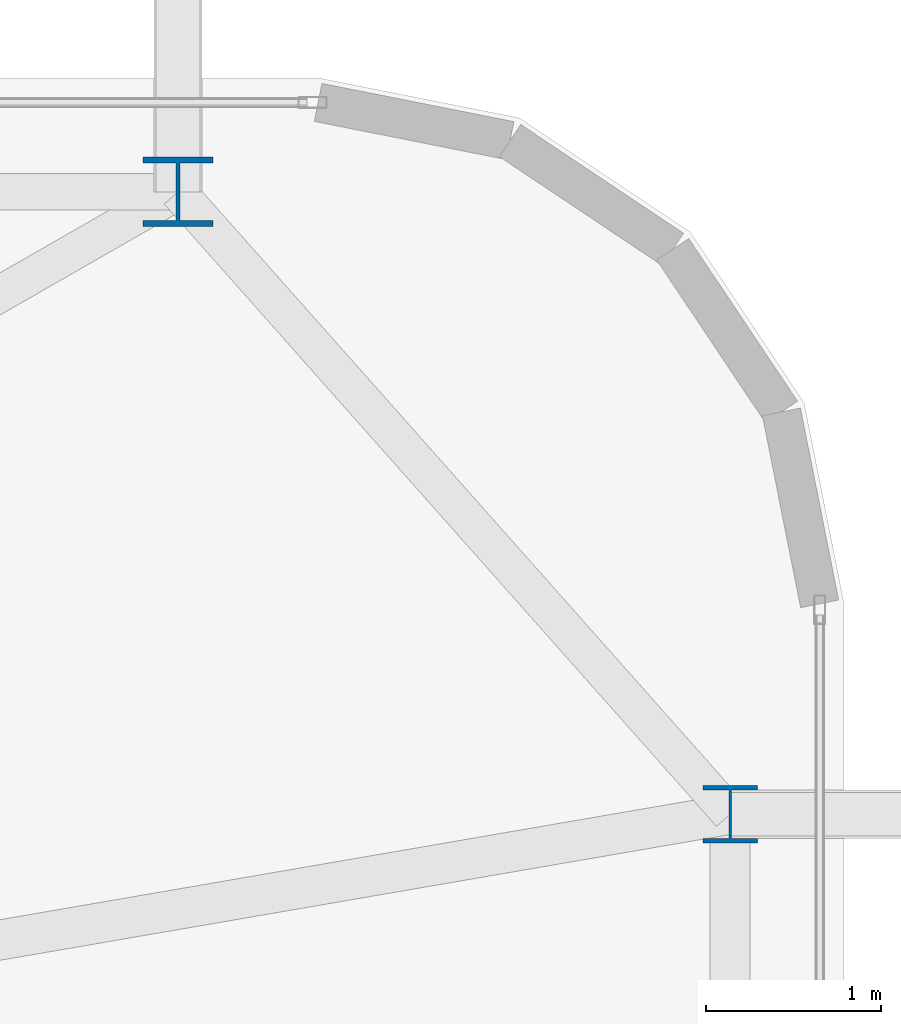
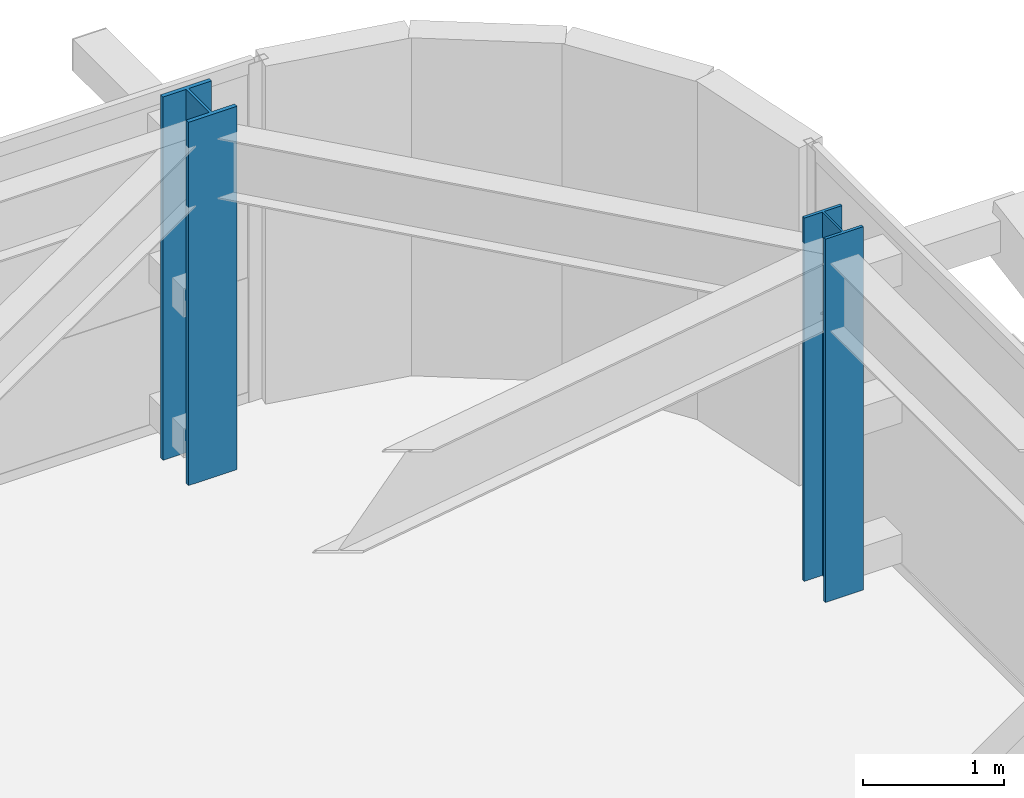
# One storey, part 4 of 58: 2 columns.
"""IFC4 building model written with IfcOpenShell, lengths in metres."""

from ifc_helpers import new_model, si_unit, direction, frame, origin, origin_2d, place, context, subcontext, project, spatial, i_section, extrude, source, transform, mapped, material, material_profile, profile_set, type_object, element, save


model = new_model("IFC4")

# Units and contexts
model_context = context("Model", 3, precision=1e-05, world=origin(), true_north=direction((0.0, 1.0)))
body_context = subcontext(model_context, "Body", "Model", "MODEL_VIEW")
ifc_project = project(units=[si_unit("LENGTHUNIT", "METRE"), si_unit("AREAUNIT", "SQUARE_METRE"), si_unit("VOLUMEUNIT", "CUBIC_METRE"), si_unit("PLANEANGLEUNIT", "RADIAN"), si_unit("MASSUNIT", "GRAM", prefix="KILO")], contexts=[model_context])

# Site, building, storey
site_placement = place(None, origin())
site = spatial("IfcSite", under=ifc_project, at=site_placement, CompositionType="ELEMENT")
building_placement = place(site_placement, origin())
building = spatial("IfcBuilding", under=site, at=building_placement, Name="Taldren Reach Tower", CompositionType="ELEMENT")
storey_placement = place(building_placement, frame((0.0, 0.0, 32.550048828125)))
storey = spatial("IfcBuildingStorey", under=building, at=storey_placement, Name="L09", CompositionType="ELEMENT", Elevation=32.550048828125)

# Columns
ifc_material = material(Name="Steel Gr 350 (350PLUS)", Category="steel")
ifc_material_profile_1 = material_profile(ifc_material, i_section(OverallWidth=0.39990234375, OverallDepth=0.39599609375, WebThickness=0.02197265625, FlangeThickness=0.033935546875, at=origin_2d()), Name="400WC270")
ifc_profile_set_1 = profile_set([ifc_material_profile_1], Name="Steel Gr 350 (350PLUS)")
column_type_1 = type_object("IfcColumnType", Name="COL-WC400", PredefinedType="COLUMN", material=ifc_profile_set_1)
shared_shape_1 = source(origin(), body_context, "Body", "SweptSolid", [
    extrude(i_section(OverallWidth=0.39990234375, OverallDepth=0.39599609375, WebThickness=0.02197265625, FlangeThickness=0.033935546875, at=origin_2d()), origin(), (0.0, 0.0, 1.0), 3.14990234375),
])
column_1_placement = place(storey_placement, frame((61.199951171875, 37.85009765625, 0.0), z_axis=(0.0, 0.0, 1.0), x_axis=(1.0, 0.0, 0.0)))
element("IfcColumn", 1, at=column_1_placement, inside=storey, type_object=column_type_1, Name="Block B1 perimeter column N6 L09", PredefinedType="COLUMN", context=body_context, shape_type="MappedRepresentation", body=[
    mapped(shared_shape_1, transform((0.0, 0.0, 0.0), scale=1.0)),
])
ifc_material_profile_2 = material_profile(ifc_material, i_section(OverallWidth=0.31103515625, OverallDepth=0.326904296875, WebThickness=0.015625, FlangeThickness=0.02490234375, at=origin_2d()), Name="310UC158")
ifc_profile_set_2 = profile_set([ifc_material_profile_2], Name="Steel Gr 350 (350PLUS)")
column_type_2 = type_object("IfcColumnType", Name="COL-UC310A", PredefinedType="COLUMN", material=ifc_profile_set_2)
shared_shape_2 = source(origin(), body_context, "Body", "SweptSolid", [
    extrude(i_section(OverallWidth=0.31103515625, OverallDepth=0.326904296875, WebThickness=0.015625, FlangeThickness=0.02490234375, at=origin_2d()), origin(), (0.0, 0.0, 1.0), 3.14990234375),
])
column_2_placement = place(storey_placement, frame((64.35009765625, 34.300048828125, 0.0), z_axis=(0.0, 0.0, 1.0), x_axis=(1.0, 0.0, 0.0)))
element("IfcColumn", 2, at=column_2_placement, inside=storey, type_object=column_type_2, Name="Block B1 perimeter column E3 L09", PredefinedType="COLUMN", context=body_context, shape_type="MappedRepresentation", body=[
    mapped(shared_shape_2, transform((0.0, 0.0, 0.0), scale=1.0)),
])

save(model, "model.ifc")
